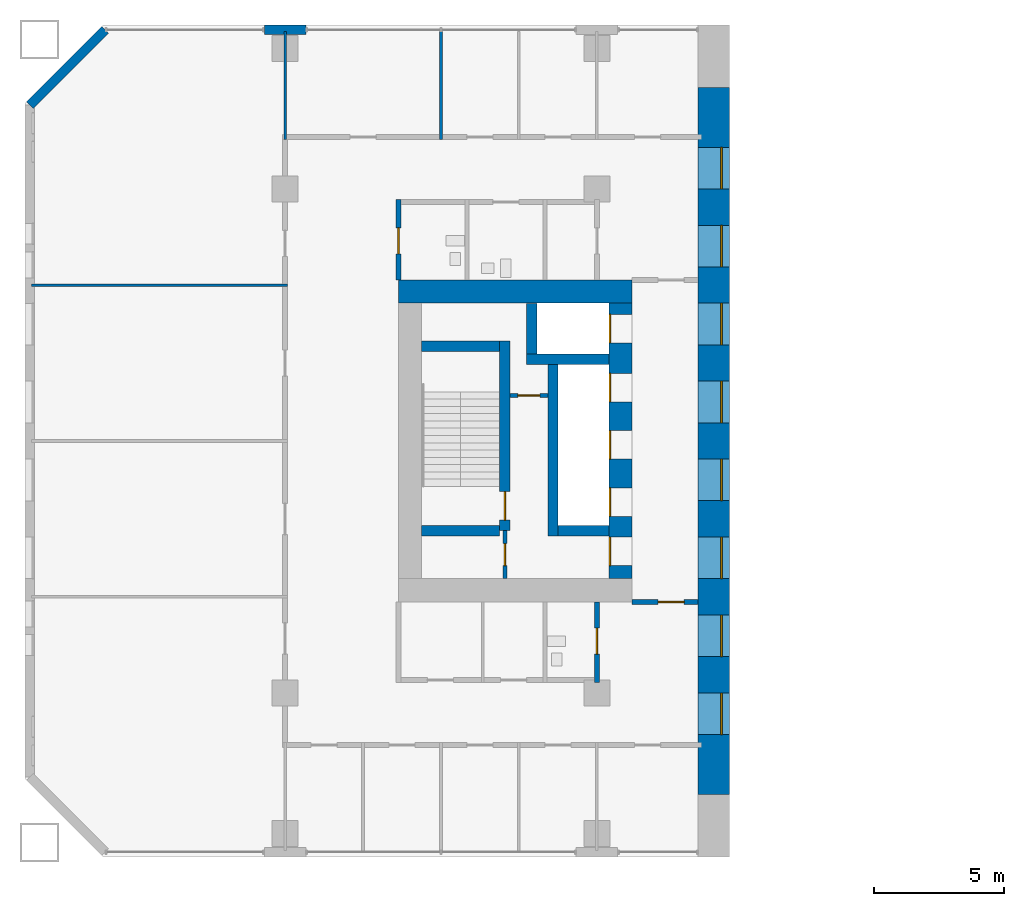
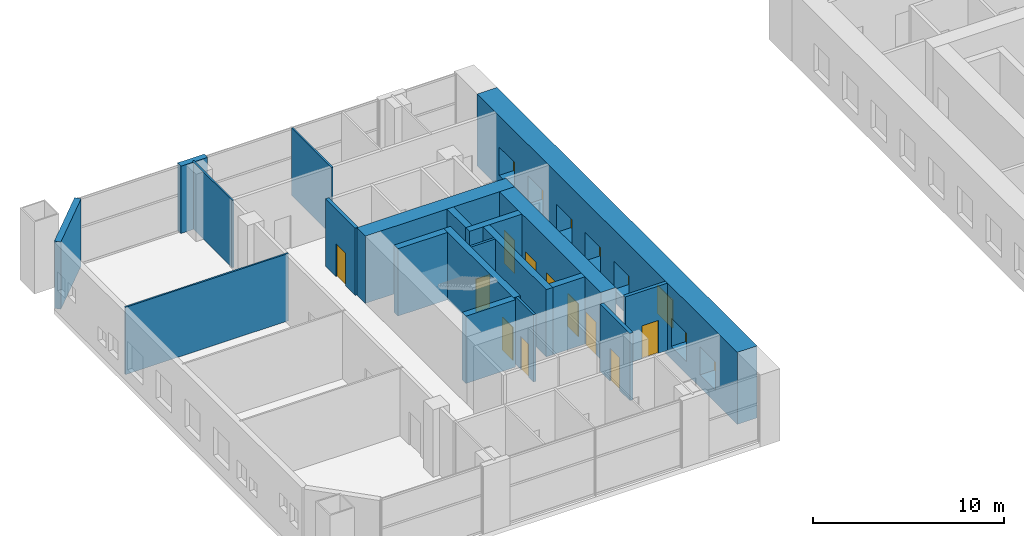
# One storey, part 11 of 21: 20 walls, 11 doors, 8 windows, 19 openings.
"""IFC4 building model written with IfcOpenShell, lengths in metres."""

from ifc_helpers import new_model, si_unit, direction, frame, frame_2d, origin, place, context, subcontext, project, spatial, rectangle, extrude, material, layer, layer_set, type_object, element, fill, save


model = new_model("IFC4")

# Units and contexts
model_context = context("Model", 3, precision=1e-05, world=origin(), true_north=direction((0.0, 1.0)))
body_context = subcontext(model_context, "Body", "Model", "MODEL_VIEW")
ifc_project = project(units=[si_unit("LENGTHUNIT", "METRE"), si_unit("AREAUNIT", "SQUARE_METRE"), si_unit("VOLUMEUNIT", "CUBIC_METRE"), si_unit("PLANEANGLEUNIT", "RADIAN"), si_unit("MASSUNIT", "GRAM", prefix="KILO")], contexts=[model_context])

# Site, building, storey
site_placement = place(None, origin())
site = spatial("IfcSite", under=ifc_project, at=site_placement, CompositionType="ELEMENT")
building_placement = place(site_placement, origin())
building = spatial("IfcBuilding", under=site, at=building_placement, Name="Tuart Gate Housing", CompositionType="ELEMENT")
storey_placement = place(building_placement, frame((0.0, 0.0, 5.5)))
storey = spatial("IfcBuildingStorey", under=building, at=storey_placement, Name="L01", CompositionType="ELEMENT", Elevation=5.5)

# Walls
ifc_material_1 = material(Name="Brick", Category="masonry")
ifc_layer_1 = layer(ifc_material_1, 0.360107421875)
ifc_layer_set_1 = layer_set([ifc_layer_1], Name="Brick pier and spandrel wall 360")
wall_type_1 = type_object("IfcWallType", Name="Brick pier and spandrel wall 360", PredefinedType="STANDARD", material=ifc_layer_set_1)
wall_1_placement = place(storey_placement, frame((28.800048828125, 85.820068359375, 0.0), z_axis=(0.0, 0.0, 1.0), x_axis=(-1.0, 0.0, 0.0)))
element("IfcWall", 1, at=wall_1_placement, inside=storey, type_object=wall_type_1, Name="External wall A-N L01", PredefinedType="STANDARD", context=body_context, shape_type="SweptSolid", body=[
    extrude(rectangle(XDim=1.60009765625, YDim=0.360107421875, at=frame_2d((0.800048828125, 0.0))), origin(), (0.0, 0.0, 1.0), 4.300048828125),
])
wall_2_placement = place(storey_placement, frame((21.07470703125, 85.820068359375, 0.0), z_axis=(0.0, 0.0, 1.0), x_axis=(-0.707106781187, -0.707106781187, 0.0)))
element("IfcWall", 2, at=wall_2_placement, inside=storey, type_object=wall_type_1, Name="External wall A-NW L01", PredefinedType="STANDARD", context=body_context, shape_type="SweptSolid", body=[
    extrude(rectangle(XDim=4.09375, YDim=0.360107421875, at=frame_2d((2.046875, 0.0))), origin(), (0.0, 0.0, 1.0), 4.300048828125),
])

# Wall, opening, door
ifc_material_2 = material(Name="Plasterboard partition")
ifc_layer_2 = layer(ifc_material_2, 0.14990234375)
ifc_layer_set_2 = layer_set([ifc_layer_2], Name="Core partition 150")
wall_type_2 = type_object("IfcWallType", Name="Core partition 150", PredefinedType="PARTITIONING", material=ifc_layer_set_2)
wall_3_placement = place(storey_placement, frame((38.110107421875, 71.75, 0.0), z_axis=(0.0, 0.0, 1.0), x_axis=(-1.0, 0.0, 0.0)))
wall_3 = element("IfcWall", 3, at=wall_3_placement, inside=storey, type_object=wall_type_2, Name="Core partition AK.3", PredefinedType="PARTITIONING", context=body_context, shape_type="SweptSolid", body=[
    extrude(rectangle(XDim=1.4501953125, YDim=0.14990234375, at=frame_2d((0.72509765625, 0.0))), origin(), (0.0, 0.0, 1.0), 4.300048828125),
])
opening_1_placement = place(wall_3_placement, frame((0.300048828125, 0.0, 0.0)))
opening_1 = element("IfcOpeningElement", 4, at=opening_1_placement, cuts=wall_3, Name="Opening D3103", PredefinedType="OPENING", context=body_context, shape_type="SweptSolid", body=[
    extrude(rectangle(XDim=0.85009765625, YDim=2.10009765625, at=frame_2d((0.425048828125, 1.050048828125))), frame((0.0, 0.0849609375, 0.0), z_axis=(0.0, -1.0, 0.0), x_axis=(1.0, 0.0, 0.0)), (0.0, 0.0, 1.0), 0.169921875),
])
ifc_material_3 = material(Name="Steel fire door", Category="steel")
door_type_1 = type_object("IfcDoorType", Name="Riser door 850 x 2100 RH", OperationType="SINGLE_SWING_RIGHT", PredefinedType="DOOR", material=ifc_material_3)
door_1_placement = place(opening_1_placement, frame((0.85009765625, 0.0, 0.0), z_axis=(0.0, 0.0, 1.0), x_axis=(-1.0, 0.0, 0.0)))
door_1 = element("IfcDoor", 5, at=door_1_placement, inside=storey, type_object=door_type_1, Name="Service room door AK.E1", OperationType="SINGLE_SWING_RIGHT", OverallHeight=2.10009765625, OverallWidth=0.85009765625, PredefinedType="DOOR", context=body_context, shape_type="SweptSolid", body=[
    extrude(rectangle(XDim=0.85009765625, YDim=2.10009765625, at=frame_2d((0.425048828125, 1.050048828125))), frame((0.0, 0.025146484375, 0.0), z_axis=(0.0, -1.0, 0.0), x_axis=(1.0, 0.0, 0.0)), (0.0, 0.0, 1.0), 0.050048828125),
])
fill(opening_1, door_1)

wall_4_placement = place(storey_placement, frame((36.4599609375, 66.550048828125, 0.0), z_axis=(0.0, 0.0, 1.0), x_axis=(0.0, -1.0, 0.0)))
wall_4 = element("IfcWall", 6, at=wall_4_placement, inside=storey, type_object=wall_type_2, Name="Core partition AK.9", PredefinedType="PARTITIONING", context=body_context, shape_type="SweptSolid", body=[
    extrude(rectangle(XDim=1.85009765625, YDim=0.14990234375, at=frame_2d((0.925048828125, 0.0))), origin(), (0.0, 0.0, 1.0), 4.300048828125),
])
opening_2_placement = place(wall_4_placement, frame((0.5, 0.0, 0.0)))
opening_2 = element("IfcOpeningElement", 7, at=opening_2_placement, cuts=wall_4, Name="Opening D3112", PredefinedType="OPENING", context=body_context, shape_type="SweptSolid", body=[
    extrude(rectangle(XDim=0.85009765625, YDim=2.10009765625, at=frame_2d((0.425048828125, 1.050048828125))), frame((0.0, 0.0849609375, 0.0), z_axis=(0.0, -1.0, 0.0), x_axis=(1.0, 0.0, 0.0)), (0.0, 0.0, 1.0), 0.169921875),
])
ifc_material_4 = material(Name="Steel fire door", Category="steel")
door_type_2 = type_object("IfcDoorType", Name="Service door 850 x 2100 RH", OperationType="SINGLE_SWING_RIGHT", PredefinedType="DOOR", material=ifc_material_4)
door_2_placement = place(opening_2_placement, frame((0.85009765625, 0.0, 0.0), z_axis=(0.0, 0.0, 1.0), x_axis=(-1.0, 0.0, 0.0)))
door_2 = element("IfcDoor", 8, at=door_2_placement, inside=storey, type_object=door_type_2, Name="Service room door AK.ST", OperationType="SINGLE_SWING_RIGHT", OverallHeight=2.10009765625, OverallWidth=0.85009765625, PredefinedType="DOOR", context=body_context, shape_type="SweptSolid", body=[
    extrude(rectangle(XDim=0.85009765625, YDim=2.10009765625, at=frame_2d((0.425048828125, 1.050048828125))), frame((0.0, 0.025146484375, 0.0), z_axis=(0.0, -1.0, 0.0), x_axis=(1.0, 0.0, 0.0)), (0.0, 0.0, 1.0), 0.050048828125),
])
fill(opening_2, door_2)

# Walls
ifc_material_5 = material(Name="Concrete C60", Category="concrete")
ifc_layer_3 = layer(ifc_material_5, 0.39990234375)
ifc_layer_set_3 = layer_set([ifc_layer_3], Name="Core wall 400 C60")
wall_type_3 = type_object("IfcWallType", Name="Core wall 400 C60", PredefinedType="SHEAR", material=ifc_layer_set_3)
wall_5_placement = place(storey_placement, frame((36.260009765625, 73.64990234375, 0.0), z_axis=(0.0, 0.0, 1.0), x_axis=(-1.0, 0.0, 0.0)))
element("IfcWall", 9, at=wall_5_placement, inside=storey, type_object=wall_type_3, Name="Core wall AK.1", PredefinedType="SHEAR", context=body_context, shape_type="SweptSolid", body=[
    extrude(rectangle(XDim=3.0, YDim=0.39990234375, at=frame_2d((1.5, 0.0))), origin(), (0.0, 0.0, 1.0), 4.300048828125),
])
wall_6_placement = place(storey_placement, frame((40.4599609375, 73.14990234375, 0.0), z_axis=(0.0, 0.0, 1.0), x_axis=(-1.0, 0.0, 0.0)))
element("IfcWall", 10, at=wall_6_placement, inside=storey, type_object=wall_type_3, Name="Core wall AK.2", PredefinedType="SHEAR", context=body_context, shape_type="SweptSolid", body=[
    extrude(rectangle(XDim=3.169921875, YDim=0.39990234375, at=frame_2d((1.5849609375, 0.0))), origin(), (0.0, 0.0, 1.0), 4.300048828125),
])
wall_7_placement = place(storey_placement, frame((40.4599609375, 66.550048828125, 0.0), z_axis=(0.0, 0.0, 1.0), x_axis=(-1.0, 0.0, 0.0)))
element("IfcWall", 11, at=wall_7_placement, inside=storey, type_object=wall_type_3, Name="Core wall AK.4", PredefinedType="SHEAR", context=body_context, shape_type="SweptSolid", body=[
    extrude(rectangle(XDim=1.949951171875, YDim=0.39990234375, at=frame_2d((0.97509765625, 0.0))), origin(), (0.0, 0.0, 1.0), 4.300048828125),
])
wall_8_placement = place(storey_placement, frame((36.260009765625, 66.550048828125, 0.0), z_axis=(0.0, 0.0, 1.0), x_axis=(-1.0, 0.0, 0.0)))
element("IfcWall", 12, at=wall_8_placement, inside=storey, type_object=wall_type_3, Name="Core wall AK.5", PredefinedType="SHEAR", context=body_context, shape_type="SweptSolid", body=[
    extrude(rectangle(XDim=3.0, YDim=0.39990234375, at=frame_2d((1.5, 0.0))), origin(), (0.0, 0.0, 1.0), 4.300048828125),
])
wall_9_placement = place(storey_placement, frame((38.31005859375, 72.949951171875, 0.0), z_axis=(0.0, 0.0, 1.0), x_axis=(0.0, -1.0, 0.0)))
element("IfcWall", 13, at=wall_9_placement, inside=storey, type_object=wall_type_3, Name="Core wall AK.6", PredefinedType="SHEAR", context=body_context, shape_type="SweptSolid", body=[
    extrude(rectangle(XDim=6.599853515625, YDim=0.39990234375, at=frame_2d((3.2998046875, 0.0))), origin(), (0.0, 0.0, 1.0), 4.300048828125),
])
wall_10_placement = place(storey_placement, frame((37.489990234375, 75.300048828125, 0.0), z_axis=(0.0, 0.0, 1.0), x_axis=(0.0, -1.0, 0.0)))
element("IfcWall", 14, at=wall_10_placement, inside=storey, type_object=wall_type_3, Name="Core wall AK.7", PredefinedType="SHEAR", context=body_context, shape_type="SweptSolid", body=[
    extrude(rectangle(XDim=1.949951171875, YDim=0.39990234375, at=frame_2d((0.97509765625, 0.0))), origin(), (0.0, 0.0, 1.0), 4.300048828125),
])

# Wall, opening, door
wall_11_placement = place(storey_placement, frame((36.4599609375, 73.85009765625, 0.0), z_axis=(0.0, 0.0, 1.0), x_axis=(0.0, -1.0, 0.0)))
wall_11 = element("IfcWall", 15, at=wall_11_placement, inside=storey, type_object=wall_type_3, Name="Core wall AK.8", PredefinedType="SHEAR", context=body_context, shape_type="SweptSolid", body=[
    extrude(rectangle(XDim=7.300048828125, YDim=0.39990234375, at=frame_2d((3.64990234375, 0.0))), origin(), (0.0, 0.0, 1.0), 4.300048828125),
])
opening_3_placement = place(wall_11_placement, frame((5.800048828125, 0.0, 0.0)))
opening_3 = element("IfcOpeningElement", 16, at=opening_3_placement, cuts=wall_11, Name="Opening D3104", PredefinedType="OPENING", context=body_context, shape_type="SweptSolid", body=[
    extrude(rectangle(XDim=1.10009765625, YDim=2.10009765625, at=frame_2d((0.550048828125, 1.050048828125))), frame((0.0, 0.2099609375, 0.0), z_axis=(0.0, -1.0, 0.0), x_axis=(1.0, 0.0, 0.0)), (0.0, 0.0, 1.0), 0.419921875),
])
ifc_material_6 = material(Name="Steel fire door", Category="steel")
door_type_3 = type_object("IfcDoorType", Name="Stair door 1100 x 2100", OperationType="SINGLE_SWING_LEFT", PredefinedType="DOOR", material=ifc_material_6)
door_3_placement = place(opening_3_placement, frame((1.10009765625, 0.0, 0.0), z_axis=(0.0, 0.0, 1.0), x_axis=(-1.0, 0.0, 0.0)))
door_3 = element("IfcDoor", 17, at=door_3_placement, inside=storey, type_object=door_type_3, Name="Stair door AK.SD", OperationType="SINGLE_SWING_LEFT", OverallHeight=2.10009765625, OverallWidth=1.10009765625, PredefinedType="DOOR", context=body_context, shape_type="SweptSolid", body=[
    extrude(rectangle(XDim=1.10009765625, YDim=2.10009765625, at=frame_2d((0.550048828125, 1.050048828125))), frame((0.0, 0.025146484375, 0.0), z_axis=(0.0, -1.0, 0.0), x_axis=(1.0, 0.0, 0.0)), (0.0, 0.0, 1.0), 0.050048828125),
])
fill(opening_3, door_3)

# Wall, openings, doors
ifc_material_7 = material(Name="Concrete C60", Category="concrete")
ifc_layer_4 = layer(ifc_material_7, 0.89990234375)
ifc_layer_set_4 = layer_set([ifc_layer_4], Name="Core wall 900 C60")
wall_type_4 = type_object("IfcWallType", Name="Core wall 900 C60", PredefinedType="SHEAR", material=ifc_layer_set_4)
wall_12_placement = place(storey_placement, frame((40.909912109375, 75.300048828125, 0.0), z_axis=(0.0, 0.0, 1.0), x_axis=(0.0, -1.0, 0.0)))
wall_12 = element("IfcWall", 18, at=wall_12_placement, inside=storey, type_object=wall_type_4, Name="Core wall AK front", PredefinedType="SHEAR", context=body_context, shape_type="SweptSolid", body=[
    extrude(rectangle(XDim=10.60009765625, YDim=0.89990234375, at=frame_2d((5.300048828125, 0.0))), origin(), (0.0, 0.0, 1.0), 4.300048828125),
])
opening_4_placement = place(wall_12_placement, frame((0.425048828125, 0.0, 0.0)))
opening_4 = element("IfcOpeningElement", 19, at=opening_4_placement, cuts=wall_12, Name="Opening LD-FA2", PredefinedType="OPENING", context=body_context, shape_type="SweptSolid", body=[
    extrude(rectangle(XDim=1.10009765625, YDim=2.10009765625, at=frame_2d((0.550048828125, 1.050048828125))), frame((0.0, 0.4599609375, 0.0), z_axis=(0.0, -1.0, 0.0), x_axis=(1.0, 0.0, 0.0)), (0.0, 0.0, 1.0), 0.919921875),
])
opening_5_placement = place(wall_12_placement, frame((2.699951171875, 0.0, 0.0)))
opening_5 = element("IfcOpeningElement", 20, at=opening_5_placement, cuts=wall_12, Name="Opening LD-LA4", PredefinedType="OPENING", context=body_context, shape_type="SweptSolid", body=[
    extrude(rectangle(XDim=1.10009765625, YDim=2.10009765625, at=frame_2d((0.550048828125, 1.050048828125))), frame((0.0, 0.4599609375, 0.0), z_axis=(0.0, -1.0, 0.0), x_axis=(1.0, 0.0, 0.0)), (0.0, 0.0, 1.0), 0.919921875),
])
opening_6_placement = place(wall_12_placement, frame((4.89990234375, 0.0, 0.0)))
opening_6 = element("IfcOpeningElement", 21, at=opening_6_placement, cuts=wall_12, Name="Opening LD-LA5", PredefinedType="OPENING", context=body_context, shape_type="SweptSolid", body=[
    extrude(rectangle(XDim=1.10009765625, YDim=2.10009765625, at=frame_2d((0.550048828125, 1.050048828125))), frame((0.0, 0.4599609375, 0.0), z_axis=(0.0, -1.0, 0.0), x_axis=(1.0, 0.0, 0.0)), (0.0, 0.0, 1.0), 0.919921875),
])
opening_7_placement = place(wall_12_placement, frame((7.10009765625, 0.0, 0.0)))
opening_7 = element("IfcOpeningElement", 22, at=opening_7_placement, cuts=wall_12, Name="Opening LD-LA6", PredefinedType="OPENING", context=body_context, shape_type="SweptSolid", body=[
    extrude(rectangle(XDim=1.10009765625, YDim=2.10009765625, at=frame_2d((0.550048828125, 1.050048828125))), frame((0.0, 0.4599609375, 0.0), z_axis=(0.0, -1.0, 0.0), x_axis=(1.0, 0.0, 0.0)), (0.0, 0.0, 1.0), 0.919921875),
])
opening_8_placement = place(wall_12_placement, frame((9.0, 0.0, 0.0)))
opening_8 = element("IfcOpeningElement", 23, at=opening_8_placement, cuts=wall_12, Name="Opening D3109", PredefinedType="OPENING", context=body_context, shape_type="SweptSolid", body=[
    extrude(rectangle(XDim=1.10009765625, YDim=2.10009765625, at=frame_2d((0.550048828125, 1.050048828125))), frame((0.0, 0.4599609375, 0.0), z_axis=(0.0, -1.0, 0.0), x_axis=(1.0, 0.0, 0.0)), (0.0, 0.0, 1.0), 0.919921875),
])
ifc_material_8 = material(Name="Stainless steel", Category="steel")
door_type_4 = type_object("IfcDoorType", Name="Landing door 1100 x 2100", OperationType="DOUBLE_DOOR_SLIDING", PredefinedType="DOOR", material=ifc_material_8)
door_4_placement = place(opening_4_placement, origin())
door_4 = element("IfcDoor", 24, at=door_4_placement, inside=storey, type_object=door_type_4, Name="Lift landing door FA2", OperationType="DOUBLE_DOOR_SLIDING", OverallHeight=2.10009765625, OverallWidth=1.10009765625, PredefinedType="DOOR", context=body_context, shape_type="SweptSolid", body=[
    extrude(rectangle(XDim=1.10009765625, YDim=2.10009765625, at=frame_2d((0.550048828125, 1.050048828125))), frame((0.0, -0.384765625, 0.0), z_axis=(0.0, -1.0, 0.0), x_axis=(1.0, 0.0, 0.0)), (0.0, 0.0, 1.0), 0.050048828125),
])
fill(opening_4, door_4)
door_5_placement = place(opening_5_placement, origin())
door_5 = element("IfcDoor", 25, at=door_5_placement, inside=storey, type_object=door_type_4, Name="Lift landing door LA4", OperationType="DOUBLE_DOOR_SLIDING", OverallHeight=2.10009765625, OverallWidth=1.10009765625, PredefinedType="DOOR", context=body_context, shape_type="SweptSolid", body=[
    extrude(rectangle(XDim=1.10009765625, YDim=2.10009765625, at=frame_2d((0.550048828125, 1.050048828125))), frame((0.0, -0.384765625, 0.0), z_axis=(0.0, -1.0, 0.0), x_axis=(1.0, 0.0, 0.0)), (0.0, 0.0, 1.0), 0.050048828125),
])
fill(opening_5, door_5)
door_6_placement = place(opening_6_placement, origin())
door_6 = element("IfcDoor", 26, at=door_6_placement, inside=storey, type_object=door_type_4, Name="Lift landing door LA5", OperationType="DOUBLE_DOOR_SLIDING", OverallHeight=2.10009765625, OverallWidth=1.10009765625, PredefinedType="DOOR", context=body_context, shape_type="SweptSolid", body=[
    extrude(rectangle(XDim=1.10009765625, YDim=2.10009765625, at=frame_2d((0.550048828125, 1.050048828125))), frame((0.0, -0.384765625, 0.0), z_axis=(0.0, -1.0, 0.0), x_axis=(1.0, 0.0, 0.0)), (0.0, 0.0, 1.0), 0.050048828125),
])
fill(opening_6, door_6)
door_7_placement = place(opening_7_placement, origin())
door_7 = element("IfcDoor", 27, at=door_7_placement, inside=storey, type_object=door_type_4, Name="Lift landing door LA6", OperationType="DOUBLE_DOOR_SLIDING", OverallHeight=2.10009765625, OverallWidth=1.10009765625, PredefinedType="DOOR", context=body_context, shape_type="SweptSolid", body=[
    extrude(rectangle(XDim=1.10009765625, YDim=2.10009765625, at=frame_2d((0.550048828125, 1.050048828125))), frame((0.0, -0.384765625, 0.0), z_axis=(0.0, -1.0, 0.0), x_axis=(1.0, 0.0, 0.0)), (0.0, 0.0, 1.0), 0.050048828125),
])
fill(opening_7, door_7)
ifc_material_9 = material(Name="Steel fire door", Category="steel")
door_type_5 = type_object("IfcDoorType", Name="Lobby door 1100 x 2100 RH", OperationType="SINGLE_SWING_RIGHT", PredefinedType="DOOR", material=ifc_material_9)
door_8_placement = place(opening_8_placement, frame((1.10009765625, 0.0, 0.0), z_axis=(0.0, 0.0, 1.0), x_axis=(-1.0, 0.0, 0.0)))
door_8 = element("IfcDoor", 28, at=door_8_placement, inside=storey, type_object=door_type_5, Name="Lobby entry door AK.EN", OperationType="SINGLE_SWING_RIGHT", OverallHeight=2.10009765625, OverallWidth=1.10009765625, PredefinedType="DOOR", context=body_context, shape_type="SweptSolid", body=[
    extrude(rectangle(XDim=1.10009765625, YDim=2.10009765625, at=frame_2d((0.550048828125, 1.050048828125))), frame((0.0, 0.434814453125, 0.0), z_axis=(0.0, -1.0, 0.0), x_axis=(1.0, 0.0, 0.0)), (0.0, 0.0, 1.0), 0.050048828125),
])
fill(opening_8, door_8)

# Wall
wall_13_placement = place(storey_placement, frame((41.360107421875, 75.75, 0.0), z_axis=(0.0, 0.0, 1.0), x_axis=(-1.0, 0.0, 0.0)))
element("IfcWall", 29, at=wall_13_placement, inside=storey, type_object=wall_type_4, Name="Core wall AK south", PredefinedType="SHEAR", context=body_context, shape_type="SweptSolid", body=[
    extrude(rectangle(XDim=9.0, YDim=0.89990234375, at=frame_2d((4.5, 0.0))), origin(), (0.0, 0.0, 1.0), 4.300048828125),
])

# Wall, opening, door
ifc_material_10 = material(Name="Concrete masonry 15 MPa", Category="masonry")
ifc_layer_5 = layer(ifc_material_10, 0.199951171875)
ifc_layer_set_5 = layer_set([ifc_layer_5], Name="Corridor wall masonry 200")
wall_type_5 = type_object("IfcWallType", Name="Corridor wall masonry 200", PredefinedType="PARTITIONING", material=ifc_layer_set_5)
wall_14_placement = place(storey_placement, frame((32.360107421875, 76.199951171875, 0.0), z_axis=(0.0, 0.0, 1.0), x_axis=(0.0, 1.0, 0.0)))
wall_14 = element("IfcWall", 30, at=wall_14_placement, inside=storey, type_object=wall_type_5, Name="Corridor wall masonry 200", PredefinedType="PARTITIONING", context=body_context, shape_type="SweptSolid", body=[
    extrude(rectangle(XDim=3.10009765625, YDim=0.199951171875, at=frame_2d((1.550048828125, 0.0))), origin(), (0.0, 0.0, 1.0), 4.300048828125),
])
opening_9_placement = place(wall_14_placement, frame((1.0, 0.0, 0.0)))
opening_9 = element("IfcOpeningElement", 31, at=opening_9_placement, cuts=wall_14, Name="Opening D3098", PredefinedType="OPENING", context=body_context, shape_type="SweptSolid", body=[
    extrude(rectangle(XDim=1.0, YDim=2.10009765625, at=frame_2d((0.5, 1.050048828125))), frame((0.0, 0.10986328125, 0.0), z_axis=(0.0, -1.0, 0.0), x_axis=(1.0, 0.0, 0.0)), (0.0, 0.0, 1.0), 0.219970703125),
])
ifc_material_11 = material(Name="Timber door leaf in steel frame", Category="steel")
door_type_6 = type_object("IfcDoorType", Name="Fire door 1000 RH", OperationType="SINGLE_SWING_RIGHT", PredefinedType="DOOR", material=ifc_material_11)
door_9_placement = place(opening_9_placement, frame((1.0, 0.0, 0.0), z_axis=(0.0, 0.0, 1.0), x_axis=(-1.0, 0.0, 0.0)))
door_9 = element("IfcDoor", 32, at=door_9_placement, inside=storey, type_object=door_type_6, Name="Fire door 1000", OperationType="SINGLE_SWING_RIGHT", OverallHeight=2.10009765625, OverallWidth=1.0, PredefinedType="DOOR", context=body_context, shape_type="SweptSolid", body=[
    extrude(rectangle(XDim=1.0, YDim=2.10009765625, at=frame_2d((0.5, 1.050048828125))), frame((0.0, 0.025146484375, 0.0), z_axis=(0.0, -1.0, 0.0), x_axis=(1.0, 0.0, 0.0)), (0.0, 0.0, 1.0), 0.050048828125),
])
fill(opening_9, door_9)

wall_15_placement = place(storey_placement, frame((40.0, 60.699951171875, 0.0), z_axis=(0.0, 0.0, 1.0), x_axis=(0.0, 1.0, 0.0)))
wall_15 = element("IfcWall", 33, at=wall_15_placement, inside=storey, type_object=wall_type_5, Name="Corridor wall masonry 200", PredefinedType="PARTITIONING", context=body_context, shape_type="SweptSolid", body=[
    extrude(rectangle(XDim=3.10009765625, YDim=0.199951171875, at=frame_2d((1.550048828125, 0.0))), origin(), (0.0, 0.0, 1.0), 4.300048828125),
])
opening_10_placement = place(wall_15_placement, frame((1.10009765625, 0.0, 0.0)))
opening_10 = element("IfcOpeningElement", 34, at=opening_10_placement, cuts=wall_15, Name="Opening D3116", PredefinedType="OPENING", context=body_context, shape_type="SweptSolid", body=[
    extrude(rectangle(XDim=1.0, YDim=2.10009765625, at=frame_2d((0.5, 1.050048828125))), frame((0.0, 0.10986328125, 0.0), z_axis=(0.0, -1.0, 0.0), x_axis=(1.0, 0.0, 0.0)), (0.0, 0.0, 1.0), 0.219970703125),
])
ifc_material_12 = material(Name="Timber door leaf in steel frame", Category="steel")
door_type_7 = type_object("IfcDoorType", Name="Fire door 1000", OperationType="SINGLE_SWING_LEFT", PredefinedType="DOOR", material=ifc_material_12)
door_10_placement = place(opening_10_placement, origin())
door_10 = element("IfcDoor", 35, at=door_10_placement, inside=storey, type_object=door_type_7, Name="Fire door 1000", OperationType="SINGLE_SWING_LEFT", OverallHeight=2.10009765625, OverallWidth=1.0, PredefinedType="DOOR", context=body_context, shape_type="SweptSolid", body=[
    extrude(rectangle(XDim=1.0, YDim=2.10009765625, at=frame_2d((0.5, 1.050048828125))), frame((0.0, 0.02490234375, 0.0), z_axis=(0.0, -1.0, 0.0), x_axis=(1.0, 0.0, 0.0)), (0.0, 0.0, 1.0), 0.050048828125),
])
fill(opening_10, door_10)

ifc_material_13 = material(Name="Concrete masonry 15 MPa", Category="masonry")
ifc_layer_6 = layer(ifc_material_13, 0.199951171875)
ifc_layer_set_6 = layer_set([ifc_layer_6], Name="Enclosure wall masonry 200")
wall_type_6 = type_object("IfcWallType", Name="Enclosure wall masonry 200", PredefinedType="PARTITIONING", material=ifc_layer_set_6)
wall_16_placement = place(storey_placement, frame((41.360107421875, 63.800048828125, 0.0), z_axis=(0.0, 0.0, 1.0), x_axis=(1.0, 0.0, 0.0)))
wall_16 = element("IfcWall", 36, at=wall_16_placement, inside=storey, type_object=wall_type_6, Name="Enclosure wall masonry 200", PredefinedType="PARTITIONING", context=body_context, shape_type="SweptSolid", body=[
    extrude(rectangle(XDim=2.539794921875, YDim=0.199951171875, at=frame_2d((1.27001953125, 0.0))), origin(), (0.0, 0.0, 1.0), 4.300048828125),
])
opening_11_placement = place(wall_16_placement, frame((1.0, 0.0, 0.0)))
opening_11 = element("IfcOpeningElement", 37, at=opening_11_placement, cuts=wall_16, Name="Opening D3114", PredefinedType="OPENING", context=body_context, shape_type="SweptSolid", body=[
    extrude(rectangle(XDim=1.0, YDim=2.10009765625, at=frame_2d((0.5, 1.050048828125))), frame((0.0, 0.10986328125, 0.0), z_axis=(0.0, -1.0, 0.0), x_axis=(1.0, 0.0, 0.0)), (0.0, 0.0, 1.0), 0.219970703125),
])
ifc_material_14 = material(Name="Timber door leaf in steel frame", Category="steel")
door_type_8 = type_object("IfcDoorType", Name="Lobby door 1000", OperationType="SINGLE_SWING_LEFT", PredefinedType="DOOR", material=ifc_material_14)
door_11_placement = place(opening_11_placement, frame((1.0, 0.0, 0.0), z_axis=(0.0, 0.0, 1.0), x_axis=(-1.0, 0.0, 0.0)))
door_11 = element("IfcDoor", 38, at=door_11_placement, inside=storey, type_object=door_type_8, Name="Lobby door 1000", OperationType="SINGLE_SWING_LEFT", OverallHeight=2.10009765625, OverallWidth=1.0, PredefinedType="DOOR", context=body_context, shape_type="SweptSolid", body=[
    extrude(rectangle(XDim=1.0, YDim=2.10009765625, at=frame_2d((0.5, 1.050048828125))), frame((0.0, 0.025146484375, 0.0), z_axis=(0.0, -1.0, 0.0), x_axis=(1.0, 0.0, 0.0)), (0.0, 0.0, 1.0), 0.050048828125),
])
fill(opening_11, door_11)

# Walls
ifc_material_15 = material(Name="Gypsum board on steel studs", Category="steel")
ifc_layer_7 = layer(ifc_material_15, 0.10009765625)
ifc_layer_set_7 = layer_set([ifc_layer_7], Name="Partition 100")
wall_type_7 = type_object("IfcWallType", Name="Partition 100", PredefinedType="PARTITIONING", material=ifc_layer_set_7)
wall_17_placement = place(storey_placement, frame((18.239990234375, 76.0, 0.0), z_axis=(0.0, 0.0, 1.0), x_axis=(1.0, 0.0, 0.0)))
element("IfcWall", 39, at=wall_17_placement, inside=storey, type_object=wall_type_7, Name="Partition 100", PredefinedType="PARTITIONING", context=body_context, shape_type="SweptSolid", body=[
    extrude(rectangle(XDim=9.860107421875, YDim=0.10009765625, at=frame_2d((4.93017578125, 0.0))), origin(), (0.0, 0.0, 1.0), 4.300048828125),
])
wall_18_placement = place(storey_placement, frame((28.0, 81.597900390625, 0.0), z_axis=(0.0, 0.0, 1.0), x_axis=(0.0, 1.0, 0.0)))
element("IfcWall", 40, at=wall_18_placement, inside=storey, type_object=wall_type_7, Name="Partition 100", PredefinedType="PARTITIONING", context=body_context, shape_type="SweptSolid", body=[
    extrude(rectangle(XDim=4.162109375, YDim=0.10009765625, at=frame_2d((2.0810546875, 0.0))), origin(), (0.0, 0.0, 1.0), 4.300048828125),
])
wall_19_placement = place(storey_placement, frame((34.0, 81.60009765625, 0.0), z_axis=(0.0, 0.0, 1.0), x_axis=(0.0, 1.0, 0.0)))
element("IfcWall", 41, at=wall_19_placement, inside=storey, type_object=wall_type_7, Name="Partition 100", PredefinedType="PARTITIONING", context=body_context, shape_type="SweptSolid", body=[
    extrude(rectangle(XDim=4.159912109375, YDim=0.10009765625, at=frame_2d((2.080078125, 0.0))), origin(), (0.0, 0.0, 1.0), 4.300048828125),
])

# Wall, openings, windows
ifc_material_16 = material(Name="Concrete C60", Category="concrete")
ifc_layer_8 = layer(ifc_material_16, 1.199951171875)
ifc_layer_set_8 = layer_set([ifc_layer_8], Name="RC wall 1200 C60")
wall_type_8 = type_object("IfcWallType", Name="RC wall 1200 C60", PredefinedType="SHEAR", material=ifc_layer_set_8)
wall_20_placement = place(storey_placement, frame((44.5, 56.39990234375, -0.300048828125), z_axis=(0.0, 0.0, 1.0), x_axis=(0.0, 1.0, 0.0)))
wall_20 = element("IfcWall", 42, at=wall_20_placement, inside=storey, type_object=wall_type_8, Name="Pier wall AW L01", PredefinedType="SHEAR", context=body_context, shape_type="SweptSolid", body=[
    extrude(rectangle(XDim=27.2001953125, YDim=1.199951171875, at=frame_2d((13.60009765625, 0.0))), origin(), (0.0, 0.0, 1.0), 4.60009765625),
])
opening_12_placement = place(wall_20_placement, frame((2.300048828125, 0.0, 0.800048828125)))
opening_12 = element("IfcOpeningElement", 43, at=opening_12_placement, cuts=wall_20, Name="Opening W1", PredefinedType="OPENING", context=body_context, shape_type="SweptSolid", body=[
    extrude(rectangle(XDim=1.60009765625, YDim=1.800048828125, at=frame_2d((0.800048828125, 0.89990234375))), frame((0.0, 0.60986328125, 0.0), z_axis=(0.0, -1.0, 0.0), x_axis=(1.0, 0.0, 0.0)), (0.0, 0.0, 1.0), 1.219970703125),
])
opening_13_placement = place(wall_20_placement, frame((5.300048828125, 0.0, 0.800048828125)))
opening_13 = element("IfcOpeningElement", 44, at=opening_13_placement, cuts=wall_20, Name="Opening W1", PredefinedType="OPENING", context=body_context, shape_type="SweptSolid", body=[
    extrude(rectangle(XDim=1.60009765625, YDim=1.800048828125, at=frame_2d((0.800048828125, 0.89990234375))), frame((0.0, 0.60986328125, 0.0), z_axis=(0.0, -1.0, 0.0), x_axis=(1.0, 0.0, 0.0)), (0.0, 0.0, 1.0), 1.219970703125),
])
opening_14_placement = place(wall_20_placement, frame((8.300048828125, 0.0, 0.800048828125)))
opening_14 = element("IfcOpeningElement", 45, at=opening_14_placement, cuts=wall_20, Name="Opening W1", PredefinedType="OPENING", context=body_context, shape_type="SweptSolid", body=[
    extrude(rectangle(XDim=1.60009765625, YDim=1.800048828125, at=frame_2d((0.800048828125, 0.89990234375))), frame((0.0, 0.60986328125, 0.0), z_axis=(0.0, -1.0, 0.0), x_axis=(1.0, 0.0, 0.0)), (0.0, 0.0, 1.0), 1.219970703125),
])
opening_15_placement = place(wall_20_placement, frame((11.300048828125, 0.0, 0.800048828125)))
opening_15 = element("IfcOpeningElement", 46, at=opening_15_placement, cuts=wall_20, Name="Opening W1", PredefinedType="OPENING", context=body_context, shape_type="SweptSolid", body=[
    extrude(rectangle(XDim=1.60009765625, YDim=1.800048828125, at=frame_2d((0.800048828125, 0.89990234375))), frame((0.0, 0.60986328125, 0.0), z_axis=(0.0, -1.0, 0.0), x_axis=(1.0, 0.0, 0.0)), (0.0, 0.0, 1.0), 1.219970703125),
])
opening_16_placement = place(wall_20_placement, frame((14.300048828125, 0.0, 0.800048828125)))
opening_16 = element("IfcOpeningElement", 47, at=opening_16_placement, cuts=wall_20, Name="Opening W1", PredefinedType="OPENING", context=body_context, shape_type="SweptSolid", body=[
    extrude(rectangle(XDim=1.60009765625, YDim=1.800048828125, at=frame_2d((0.800048828125, 0.89990234375))), frame((0.0, 0.60986328125, 0.0), z_axis=(0.0, -1.0, 0.0), x_axis=(1.0, 0.0, 0.0)), (0.0, 0.0, 1.0), 1.219970703125),
])
opening_17_placement = place(wall_20_placement, frame((17.300048828125, 0.0, 0.800048828125)))
opening_17 = element("IfcOpeningElement", 48, at=opening_17_placement, cuts=wall_20, Name="Opening W1", PredefinedType="OPENING", context=body_context, shape_type="SweptSolid", body=[
    extrude(rectangle(XDim=1.60009765625, YDim=1.800048828125, at=frame_2d((0.800048828125, 0.89990234375))), frame((0.0, 0.60986328125, 0.0), z_axis=(0.0, -1.0, 0.0), x_axis=(1.0, 0.0, 0.0)), (0.0, 0.0, 1.0), 1.219970703125),
])
opening_18_placement = place(wall_20_placement, frame((20.300048828125, 0.0, 0.800048828125)))
opening_18 = element("IfcOpeningElement", 49, at=opening_18_placement, cuts=wall_20, Name="Opening W1", PredefinedType="OPENING", context=body_context, shape_type="SweptSolid", body=[
    extrude(rectangle(XDim=1.60009765625, YDim=1.800048828125, at=frame_2d((0.800048828125, 0.89990234375))), frame((0.0, 0.60986328125, 0.0), z_axis=(0.0, -1.0, 0.0), x_axis=(1.0, 0.0, 0.0)), (0.0, 0.0, 1.0), 1.219970703125),
])
opening_19_placement = place(wall_20_placement, frame((23.300048828125, 0.0, 0.800048828125)))
opening_19 = element("IfcOpeningElement", 50, at=opening_19_placement, cuts=wall_20, Name="Opening W1", PredefinedType="OPENING", context=body_context, shape_type="SweptSolid", body=[
    extrude(rectangle(XDim=1.60009765625, YDim=1.800048828125, at=frame_2d((0.800048828125, 0.89990234375))), frame((0.0, 0.60986328125, 0.0), z_axis=(0.0, -1.0, 0.0), x_axis=(1.0, 0.0, 0.0)), (0.0, 0.0, 1.0), 1.219970703125),
])
ifc_material_17 = material(Name="Aluminium frame with clear glass", Category="aluminium")
window_type = type_object("IfcWindowType", Name="Punched window 1600 x 1800", PartitioningType="SINGLE_PANEL", PredefinedType="WINDOW", material=ifc_material_17)
window_1_placement = place(opening_12_placement, origin())
window_1 = element("IfcWindow", 51, at=window_1_placement, inside=storey, type_object=window_type, Name="Window W1", OverallHeight=1.800048828125, OverallWidth=1.60009765625, PartitioningType="SINGLE_PANEL", PredefinedType="WINDOW", context=body_context, shape_type="SweptSolid", body=[
    extrude(rectangle(XDim=1.60009765625, YDim=1.800048828125, at=frame_2d((0.800048828125, 0.89990234375))), frame((0.0, -0.27001953125, 0.0), z_axis=(0.0, -1.0, 0.0), x_axis=(1.0, 0.0, 0.0)), (0.0, 0.0, 1.0), 0.06005859375),
])
fill(opening_12, window_1)
window_2_placement = place(opening_13_placement, origin())
window_2 = element("IfcWindow", 52, at=window_2_placement, inside=storey, type_object=window_type, Name="Window W1", OverallHeight=1.800048828125, OverallWidth=1.60009765625, PartitioningType="SINGLE_PANEL", PredefinedType="WINDOW", context=body_context, shape_type="SweptSolid", body=[
    extrude(rectangle(XDim=1.60009765625, YDim=1.800048828125, at=frame_2d((0.800048828125, 0.89990234375))), frame((0.0, -0.27001953125, 0.0), z_axis=(0.0, -1.0, 0.0), x_axis=(1.0, 0.0, 0.0)), (0.0, 0.0, 1.0), 0.06005859375),
])
fill(opening_13, window_2)
window_3_placement = place(opening_14_placement, origin())
window_3 = element("IfcWindow", 53, at=window_3_placement, inside=storey, type_object=window_type, Name="Window W1", OverallHeight=1.800048828125, OverallWidth=1.60009765625, PartitioningType="SINGLE_PANEL", PredefinedType="WINDOW", context=body_context, shape_type="SweptSolid", body=[
    extrude(rectangle(XDim=1.60009765625, YDim=1.800048828125, at=frame_2d((0.800048828125, 0.89990234375))), frame((0.0, -0.27001953125, 0.0), z_axis=(0.0, -1.0, 0.0), x_axis=(1.0, 0.0, 0.0)), (0.0, 0.0, 1.0), 0.06005859375),
])
fill(opening_14, window_3)
window_4_placement = place(opening_15_placement, origin())
window_4 = element("IfcWindow", 54, at=window_4_placement, inside=storey, type_object=window_type, Name="Window W1", OverallHeight=1.800048828125, OverallWidth=1.60009765625, PartitioningType="SINGLE_PANEL", PredefinedType="WINDOW", context=body_context, shape_type="SweptSolid", body=[
    extrude(rectangle(XDim=1.60009765625, YDim=1.800048828125, at=frame_2d((0.800048828125, 0.89990234375))), frame((0.0, -0.27001953125, 0.0), z_axis=(0.0, -1.0, 0.0), x_axis=(1.0, 0.0, 0.0)), (0.0, 0.0, 1.0), 0.06005859375),
])
fill(opening_15, window_4)
window_5_placement = place(opening_16_placement, origin())
window_5 = element("IfcWindow", 55, at=window_5_placement, inside=storey, type_object=window_type, Name="Window W1", OverallHeight=1.800048828125, OverallWidth=1.60009765625, PartitioningType="SINGLE_PANEL", PredefinedType="WINDOW", context=body_context, shape_type="SweptSolid", body=[
    extrude(rectangle(XDim=1.60009765625, YDim=1.800048828125, at=frame_2d((0.800048828125, 0.89990234375))), frame((0.0, -0.27001953125, 0.0), z_axis=(0.0, -1.0, 0.0), x_axis=(1.0, 0.0, 0.0)), (0.0, 0.0, 1.0), 0.06005859375),
])
fill(opening_16, window_5)
window_6_placement = place(opening_17_placement, origin())
window_6 = element("IfcWindow", 56, at=window_6_placement, inside=storey, type_object=window_type, Name="Window W1", OverallHeight=1.800048828125, OverallWidth=1.60009765625, PartitioningType="SINGLE_PANEL", PredefinedType="WINDOW", context=body_context, shape_type="SweptSolid", body=[
    extrude(rectangle(XDim=1.60009765625, YDim=1.800048828125, at=frame_2d((0.800048828125, 0.89990234375))), frame((0.0, -0.27001953125, 0.0), z_axis=(0.0, -1.0, 0.0), x_axis=(1.0, 0.0, 0.0)), (0.0, 0.0, 1.0), 0.06005859375),
])
fill(opening_17, window_6)
window_7_placement = place(opening_18_placement, origin())
window_7 = element("IfcWindow", 57, at=window_7_placement, inside=storey, type_object=window_type, Name="Window W1", OverallHeight=1.800048828125, OverallWidth=1.60009765625, PartitioningType="SINGLE_PANEL", PredefinedType="WINDOW", context=body_context, shape_type="SweptSolid", body=[
    extrude(rectangle(XDim=1.60009765625, YDim=1.800048828125, at=frame_2d((0.800048828125, 0.89990234375))), frame((0.0, -0.27001953125, 0.0), z_axis=(0.0, -1.0, 0.0), x_axis=(1.0, 0.0, 0.0)), (0.0, 0.0, 1.0), 0.06005859375),
])
fill(opening_18, window_7)
window_8_placement = place(opening_19_placement, origin())
window_8 = element("IfcWindow", 58, at=window_8_placement, inside=storey, type_object=window_type, Name="Window W1", OverallHeight=1.800048828125, OverallWidth=1.60009765625, PartitioningType="SINGLE_PANEL", PredefinedType="WINDOW", context=body_context, shape_type="SweptSolid", body=[
    extrude(rectangle(XDim=1.60009765625, YDim=1.800048828125, at=frame_2d((0.800048828125, 0.89990234375))), frame((0.0, -0.27001953125, 0.0), z_axis=(0.0, -1.0, 0.0), x_axis=(1.0, 0.0, 0.0)), (0.0, 0.0, 1.0), 0.06005859375),
])
fill(opening_19, window_8)

save(model, "model.ifc")
